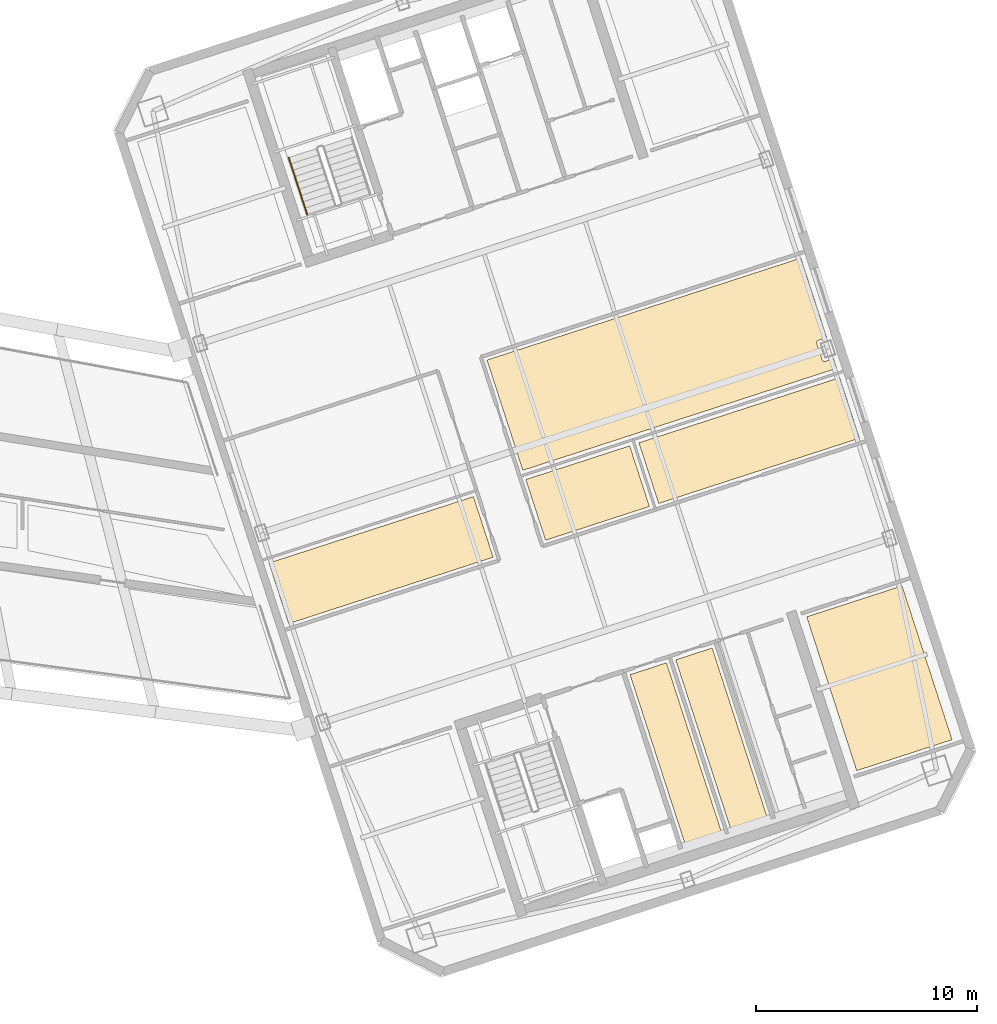
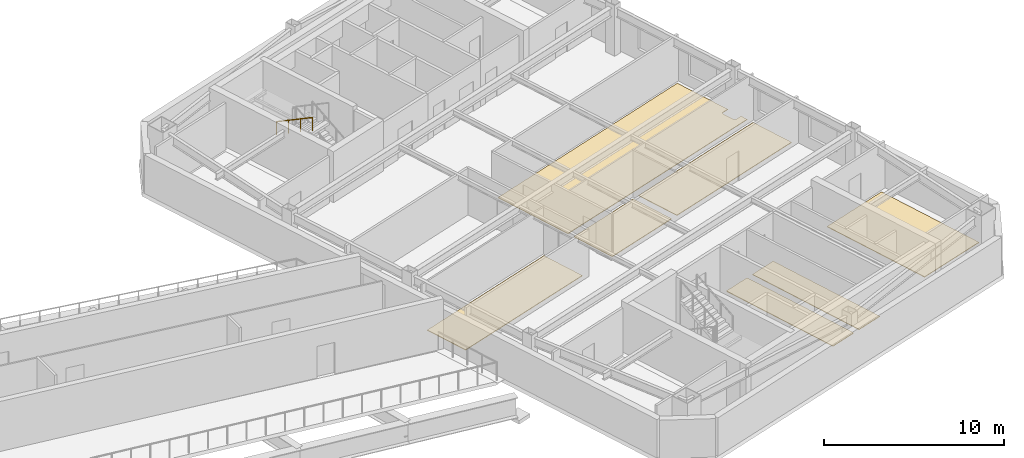
# One storey, part 17 of 18: 7 coverings, 1 railing.
"""IFC4 building model written with IfcOpenShell, lengths in metres."""

from ifc_helpers import new_model, si_unit, direction, frame, origin, origin_2d, place, context, subcontext, project, spatial, polyline, circle, outline, extrude, material, layer, layer_set, type_object, element, save


model = new_model("IFC4")

# Units and contexts
model_context = context("Model", 3, precision=1e-05, world=origin(), true_north=direction((0.0, 1.0)))
body_context = subcontext(model_context, "Body", "Model", "MODEL_VIEW")
ifc_project = project(units=[si_unit("LENGTHUNIT", "METRE"), si_unit("AREAUNIT", "SQUARE_METRE"), si_unit("VOLUMEUNIT", "CUBIC_METRE"), si_unit("PLANEANGLEUNIT", "RADIAN"), si_unit("MASSUNIT", "GRAM", prefix="KILO")], contexts=[model_context])

# Site, building, storey
site_placement = place(None, origin())
site = spatial("IfcSite", under=ifc_project, at=site_placement, CompositionType="ELEMENT")
building_placement = place(site_placement, origin())
building = spatial("IfcBuilding", under=site, at=building_placement, Name="Qiaolan Cultural Towers", CompositionType="ELEMENT")
storey_placement = place(building_placement, frame((0.0, 0.0, 219.64990234375)))
storey = spatial("IfcBuildingStorey", under=building, at=storey_placement, Name="L59", CompositionType="ELEMENT", Elevation=219.64990234375)

# Coverings
ifc_material_1 = material(Name="Honed Terrazzo & Raised Access Flooring", Category="concrete")
ifc_layer = layer(ifc_material_1, 0.0400390625)
ifc_layer_set = layer_set([ifc_layer], Name="Honed Terrazzo & Raised Access Flooring")
covering_type = type_object("IfcCoveringType", Name="COV-FLR-STONE", PredefinedType="FLOORING", material=ifc_layer_set)
covering_1_placement = place(storey_placement, origin())
element("IfcCovering", 1, at=covering_1_placement, inside=storey, type_object=covering_type, Name="L59 Document Print and Copy Room Finish Flooring", PredefinedType="FLOORING", context=body_context, shape_type="SweptSolid", body=[
    extrude(outline(polyline([(97.96826171875, 16.369384765625), (95.4990234375, 23.96826171875), (93.853759765625, 23.433837890625), (96.32275390625, 15.834716796875), (97.96826171875, 16.369384765625)])), origin(), (0.0, 0.0, 1.0), 0.0400390625),
])
covering_2_placement = place(storey_placement, origin())
element("IfcCovering", 2, at=covering_2_placement, inside=storey, type_object=covering_type, Name="L59 Staff Tea Pantry Finish Flooring", PredefinedType="FLOORING", context=body_context, shape_type="SweptSolid", body=[
    extrude(outline(polyline([(100.031982421875, 17.0400390625), (97.56298828125, 24.638916015625), (95.91748046875, 24.104248046875), (98.38671875, 16.50537109375), (100.031982421875, 17.0400390625)])), origin(), (0.0, 0.0, 1.0), 0.0400390625),
])
covering_3_placement = place(storey_placement, origin())
element("IfcCovering", 3, at=covering_3_placement, inside=storey, type_object=covering_type, Name="L59 Corner Botanical Lounge Finish Flooring", PredefinedType="FLOORING", context=body_context, shape_type="SweptSolid", body=[
    extrude(outline(polyline([(108.403564453125, 20.49609375), (106.144775390625, 27.4482421875), (101.83642578125, 26.048583984375), (104.095458984375, 19.09619140625), (108.403564453125, 20.49609375)])), origin(), (0.0, 0.0, 1.0), 0.0400390625),
])
covering_4_placement = place(storey_placement, origin())
element("IfcCovering", 4, at=covering_4_placement, inside=storey, type_object=covering_type, Name="L59 Sky Park Cultural Salon Finish Flooring", PredefinedType="FLOORING", context=body_context, shape_type="SweptSolid", body=[
    extrude(outline(polyline([(87.665771484375, 28.7412109375), (86.77587890625, 31.48046875), (77.536376953125, 28.478271484375), (78.42626953125, 25.7392578125), (87.665771484375, 28.7412109375)])), origin(), (0.0, 0.0, 1.0), 0.0400390625),
])
covering_5_placement = place(storey_placement, origin())
element("IfcCovering", 5, at=covering_5_placement, inside=storey, type_object=covering_type, Name="L59 Sky Gallery Gift Shop Finish Flooring", PredefinedType="FLOORING", context=body_context, shape_type="SweptSolid", body=[
    extrude(outline(polyline([(94.727294921875, 31.03564453125), (93.83740234375, 33.77490234375), (89.14404296875, 32.249755859375), (90.033935546875, 29.5107421875), (94.727294921875, 31.03564453125)])), origin(), (0.0, 0.0, 1.0), 0.0400390625),
])
covering_6_placement = place(storey_placement, origin())
element("IfcCovering", 6, at=covering_6_placement, inside=storey, type_object=covering_type, Name="L59 Curator Office Finish Flooring", PredefinedType="FLOORING", context=body_context, shape_type="SweptSolid", body=[
    extrude(outline(polyline([(104.218994140625, 34.11962890625), (103.328857421875, 36.85888671875), (94.255859375, 33.910888671875), (95.145751953125, 31.171630859375), (104.218994140625, 34.11962890625)])), origin(), (0.0, 0.0, 1.0), 0.0400390625),
])
covering_7_placement = place(storey_placement, origin())
element("IfcCovering", 7, at=covering_7_placement, inside=storey, type_object=covering_type, Name="L59 Curator Office Finish Flooring", PredefinedType="FLOORING", context=body_context, shape_type="SweptSolid", body=[
    extrude(outline(polyline([(103.05078125, 37.71484375), (102.679931640625, 37.59423828125), (102.66845703125, 37.591064453125), (102.656982421875, 37.589111328125), (102.645263671875, 37.58837890625), (102.633544921875, 37.588623046875), (102.621826171875, 37.59033203125), (102.6103515625, 37.5927734375), (102.59912109375, 37.5966796875), (102.58837890625, 37.601318359375), (102.578125, 37.607177734375), (102.568603515625, 37.614013671875), (102.5595703125, 37.621826171875), (102.551513671875, 37.63037109375), (102.54443359375, 37.6396484375), (102.5380859375, 37.649658203125), (102.532958984375, 37.66015625), (102.52880859375, 37.67138671875), (102.2939453125, 38.39404296875), (102.290771484375, 38.405517578125), (102.288818359375, 38.4169921875), (102.2880859375, 38.4287109375), (102.288330078125, 38.440673828125), (102.289794921875, 38.4521484375), (102.29248046875, 38.463623046875), (102.296142578125, 38.474853515625), (102.301025390625, 38.485595703125), (102.306884765625, 38.495849609375), (102.313720703125, 38.50537109375), (102.321533203125, 38.514404296875), (102.330078125, 38.5224609375), (102.33935546875, 38.529541015625), (102.349365234375, 38.535888671875), (102.35986328125, 38.541015625), (102.370849609375, 38.545166015625), (102.74169921875, 38.665771484375), (101.57373046875, 42.2607421875), (87.388671875, 37.65185546875), (89.008056640625, 32.668212890625), (103.19287109375, 37.27734375), (103.05078125, 37.71484375)])), origin(), (0.0, 0.0, 1.0), 0.0400390625),
])

# Railing
ifc_material_2 = material(Name="Stainless Steel S30408 Tubular Handrail", Category="steel")
railing_type = type_object("IfcRailingType", Name="RL-STAIR-HR", PredefinedType="HANDRAIL", material=ifc_material_2)
railing_placement = place(storey_placement, frame((78.427978515625, 46.800537109375, 1.897705078125)))
element("IfcRailing", 8, at=railing_placement, inside=storey, type_object=railing_type, Name="L59 ST-E2 stair handrail 2", PredefinedType="HANDRAIL", context=body_context, shape_type="SweptSolid", body=[
    extrude(circle(Radius=0.02392578125, at=origin_2d()), frame((0.0, 0.0, 0.8759765625), z_axis=(0.267925668498, -0.824471088726, 0.498460891159), x_axis=(0.951043371037, 0.309057448393, 0.0)), (0.0, 0.0, 1.0), 3.114501953125),
    extrude(circle(Radius=0.02099609375, at=origin_2d()), origin(), (0.0, 0.0, 1.0), 0.851806640625),
    extrude(circle(Radius=0.02099609375, at=origin_2d()), frame((0.278076171875, -0.85595703125, 0.517578125)), (0.0, 0.0, 1.0), 0.851806640625),
    extrude(circle(Radius=0.02099609375, at=origin_2d()), frame((0.556396484375, -1.7119140625, 1.034912109375)), (0.0, 0.0, 1.0), 0.851806640625),
    extrude(circle(Radius=0.02099609375, at=origin_2d()), frame((0.83447265625, -2.56787109375, 1.552490234375)), (0.0, 0.0, 1.0), 0.851806640625),
])

save(model, "model.ifc")
